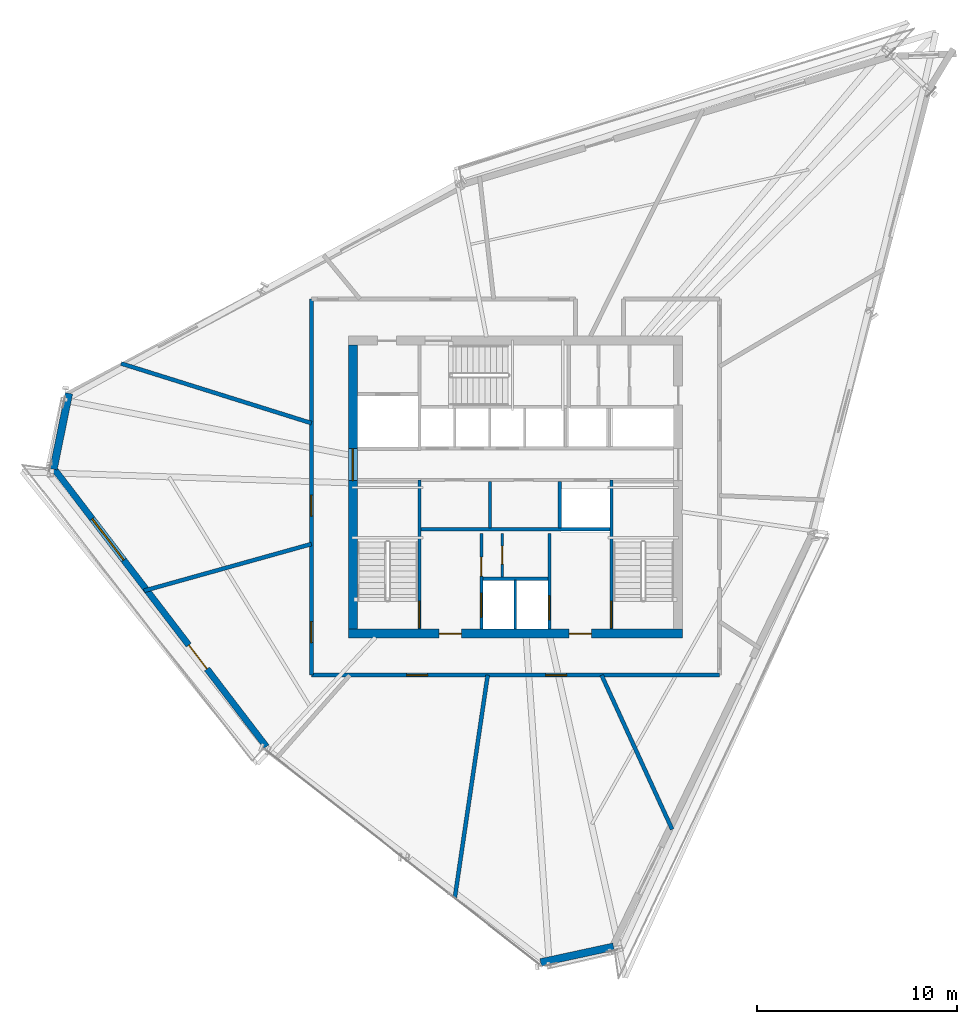
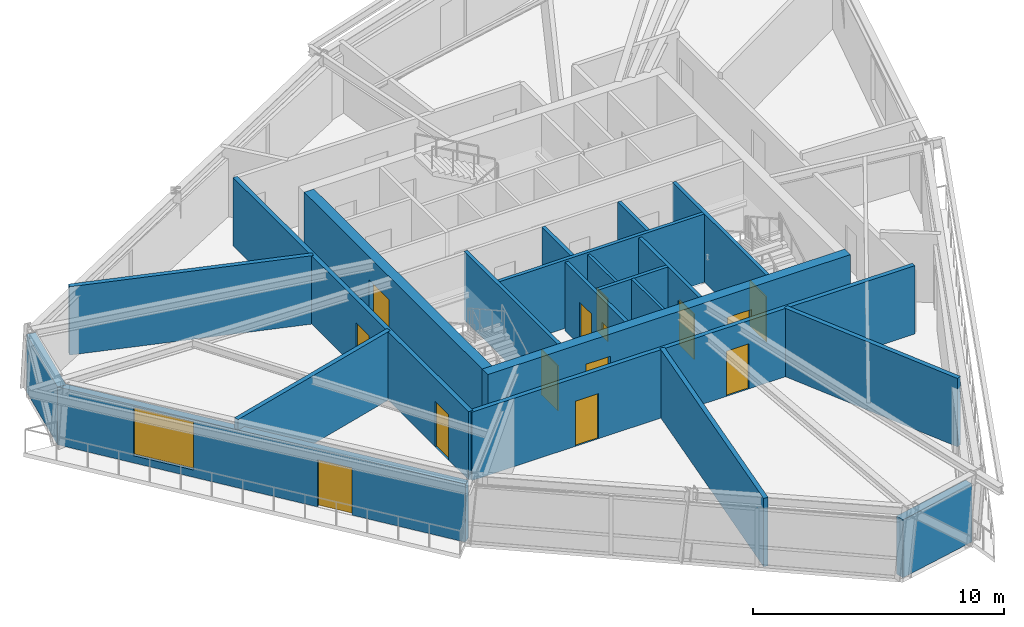
# One storey, part 8 of 14: 21 walls, 14 doors, 1 window, 15 openings.
"""IFC4 building model written with IfcOpenShell, lengths in metres."""

from ifc_helpers import new_model, si_unit, direction, frame, frame_2d, origin, place, context, subcontext, project, spatial, rectangle, extrude, source, transform, mapped, material, layer, layer_set, type_object, type_shapes, element, fill, save


model = new_model("IFC4")

# Units and contexts
model_context = context("Model", 3, precision=1e-05, world=origin(), true_north=direction((0.0, 1.0)))
body_context = subcontext(model_context, "Body", "Model", "MODEL_VIEW")
ifc_project = project(units=[si_unit("LENGTHUNIT", "METRE"), si_unit("AREAUNIT", "SQUARE_METRE"), si_unit("VOLUMEUNIT", "CUBIC_METRE"), si_unit("PLANEANGLEUNIT", "RADIAN"), si_unit("MASSUNIT", "GRAM", prefix="KILO")], contexts=[model_context])

# Site, building, storey
site_placement = place(None, origin())
site = spatial("IfcSite", under=ifc_project, at=site_placement, CompositionType="ELEMENT")
building_placement = place(site_placement, origin())
building = spatial("IfcBuilding", under=site, at=building_placement, Name="Olszyna Solenne Hotel", CompositionType="ELEMENT")
storey_placement = place(building_placement, frame((0.0, 0.0, 223.800048828125)))
storey = spatial("IfcBuildingStorey", under=building, at=storey_placement, Name="L59", CompositionType="ELEMENT", Elevation=223.800048828125)

# Wall, openings, doors
ifc_material_1 = material(Name="Concrete C50/60", Category="concrete")
ifc_layer_1 = layer(ifc_material_1, 0.449951171875, Name="Concrete C50/60")
ifc_layer_set_1 = layer_set([ifc_layer_1], Name="Concrete C50/60")
wall_type_1 = type_object("IfcWallType", Name="WL-CR450", PredefinedType="SHEAR", material=ifc_layer_set_1)
wall_1_placement = place(storey_placement, frame((46.35009765625, 19.27490234375, 0.0), z_axis=(0.0, 0.0, 1.0), x_axis=(-1.0, 0.0, 0.0)))
wall_1 = element("IfcWall", 1, at=wall_1_placement, inside=storey, type_object=wall_type_1, Name="Core shear wall WL-CR450 CRW-L59-S", PredefinedType="SHEAR", context=body_context, shape_type="SweptSolid", body=[
    extrude(rectangle(XDim=16.7001953125, YDim=0.449951171875, at=frame_2d((8.35009765625, 0.0))), origin(), (0.0, 0.0, 1.0), 3.329833984375),
])
opening_1_placement = place(wall_1_placement, frame((4.550048828125, 0.0, 0.0)))
opening_1 = element("IfcOpeningElement", 2, at=opening_1_placement, cuts=wall_1, Name="Opening FL-L59-1", PredefinedType="OPENING", context=body_context, shape_type="SweptSolid", body=[
    extrude(rectangle(XDim=1.1201171875, YDim=2.25, at=frame_2d((0.56005859375, 1.125))), frame((0.0, 0.23486328125, 0.0), z_axis=(0.0, -1.0, 0.0), x_axis=(1.0, 0.0, 0.0)), (0.0, 0.0, 1.0), 0.469970703125),
])
opening_2_placement = place(wall_1_placement, frame((11.050048828125, 0.0, 0.0)))
opening_2 = element("IfcOpeningElement", 3, at=opening_2_placement, cuts=wall_1, Name="Opening FL-L59-2", PredefinedType="OPENING", context=body_context, shape_type="SweptSolid", body=[
    extrude(rectangle(XDim=1.1201171875, YDim=2.25, at=frame_2d((0.56005859375, 1.125))), frame((0.0, 0.23486328125, 0.0), z_axis=(0.0, -1.0, 0.0), x_axis=(1.0, 0.0, 0.0)), (0.0, 0.0, 1.0), 0.469970703125),
])
ifc_material_2 = material(Name="Steel S355J2", Category="steel")
door_type_1 = type_object("IfcDoorType", Name="DR-FL1", OperationType="NOTDEFINED", PredefinedType="DOOR", material=ifc_material_2)
shared_shape_1 = source(origin(), body_context, "Body", "SweptSolid", [
    extrude(rectangle(XDim=1.1201171875, YDim=2.25, at=frame_2d((0.56005859375, 1.125))), frame((0.0, 0.02490234375, 0.0), z_axis=(0.0, -1.0, 0.0), x_axis=(1.0, 0.0, 0.0)), (0.0, 0.0, 1.0), 0.050048828125),
])
type_shapes(door_type_1, [shared_shape_1])
door_1_placement = place(opening_1_placement, origin())
door_1 = element("IfcDoor", 4, at=door_1_placement, inside=storey, type_object=door_type_1, Name="Firefighting lift lobby smoke door FL-L59-1", OperationType="SINGLE_SWING_LEFT", OverallHeight=2.25, OverallWidth=1.1201171875, PredefinedType="DOOR", context=body_context, shape_type="MappedRepresentation", body=[
    mapped(shared_shape_1, transform((0.0, 0.0, 0.0), x_axis=(1.0, 0.0, 0.0), y_axis=(0.0, 1.0, 0.0), z_axis=(0.0, 0.0, 1.0), scale=1.0)),
])
fill(opening_1, door_1)
door_2_placement = place(opening_2_placement, origin())
door_2 = element("IfcDoor", 5, at=door_2_placement, inside=storey, type_object=door_type_1, Name="Firefighting lift lobby smoke door FL-L59-2", OperationType="SINGLE_SWING_RIGHT", OverallHeight=2.25, OverallWidth=1.1201171875, PredefinedType="DOOR", context=body_context, shape_type="MappedRepresentation", body=[
    mapped(shared_shape_1, transform((0.0, 0.0, 0.0), x_axis=(1.0, 0.0, 0.0), y_axis=(0.0, 1.0, 0.0), z_axis=(0.0, 0.0, 1.0), scale=1.0)),
])
fill(opening_2, door_2)

# Wall, opening, door
wall_2_placement = place(storey_placement, frame((29.875, 19.5, 0.0), z_axis=(0.0, 0.0, 1.0), x_axis=(0.0, 1.0, 0.0)))
wall_2 = element("IfcWall", 6, at=wall_2_placement, inside=storey, type_object=wall_type_1, Name="Core shear wall WL-CR450 CRW-L59-W", PredefinedType="SHEAR", context=body_context, shape_type="SweptSolid", body=[
    extrude(rectangle(XDim=14.199951171875, YDim=0.449951171875, at=frame_2d((7.10009765625, 0.0))), origin(), (0.0, 0.0, 1.0), 3.329833984375),
])
opening_3_placement = place(wall_2_placement, frame((7.419921875, 0.0, 0.0)))
opening_3 = element("IfcOpeningElement", 7, at=opening_3_placement, cuts=wall_2, Name="Opening LHD-L59-W", PredefinedType="OPENING", context=body_context, shape_type="SweptSolid", body=[
    extrude(rectangle(XDim=1.60009765625, YDim=2.199951171875, at=frame_2d((0.800048828125, 1.10009765625))), frame((0.0, 0.23486328125, 0.0), z_axis=(0.0, -1.0, 0.0), x_axis=(1.0, 0.0, 0.0)), (0.0, 0.0, 1.0), 0.469970703125),
])
ifc_material_3 = material(Name="Timber hardwood", Category="wood")
door_type_2 = type_object("IfcDoorType", Name="DR-CR1", OperationType="DOUBLE_DOOR_SINGLE_SWING", PredefinedType="DOOR", material=ifc_material_3)
shared_shape_2 = source(origin(), body_context, "Body", "SweptSolid", [
    extrude(rectangle(XDim=1.60009765625, YDim=2.199951171875, at=frame_2d((0.800048828125, 1.10009765625))), frame((0.0, 0.02490234375, 0.0), z_axis=(0.0, -1.0, 0.0), x_axis=(1.0, 0.0, 0.0)), (0.0, 0.0, 1.0), 0.050048828125),
])
type_shapes(door_type_2, [shared_shape_2])
door_3_placement = place(opening_3_placement, origin())
door_3 = element("IfcDoor", 8, at=door_3_placement, inside=storey, type_object=door_type_2, Name="Passenger lift lobby West fire door LHD-L59-W", OperationType="DOUBLE_DOOR_SINGLE_SWING", OverallHeight=2.199951171875, OverallWidth=1.60009765625, PredefinedType="DOOR", context=body_context, shape_type="MappedRepresentation", body=[
    mapped(shared_shape_2, transform((0.0, 0.0, 0.0), x_axis=(1.0, 0.0, 0.0), y_axis=(0.0, 1.0, 0.0), z_axis=(0.0, 0.0, 1.0), scale=1.0)),
])
fill(opening_3, door_3)

# Wall, openings, door, window
ifc_material_4 = material(Name="Precast concrete C45/55", Category="concrete")
ifc_layer_2 = layer(ifc_material_4, 0.320068359375, Name="Precast concrete C45/55")
ifc_layer_set_2 = layer_set([ifc_layer_2], Name="Precast concrete C45/55")
wall_type_2 = type_object("IfcWallType", Name="WL-EX320", PredefinedType="SOLIDWALL", material=ifc_layer_set_2)
wall_3_placement = place(storey_placement, frame((25.551513671875, 13.621826171875, 0.0), z_axis=(0.0, 0.0, 1.0), x_axis=(-0.607219266327, 0.79453430549, 0.0)))
wall_3 = element("IfcWall", 9, at=wall_3_placement, inside=storey, type_object=wall_type_2, Name="Exterior terracotta-precast frame wall WL-EX320 EW-L59-04", PredefinedType="SOLIDWALL", context=body_context, shape_type="SweptSolid", body=[
    extrude(rectangle(XDim=17.628173828125, YDim=0.320068359375, at=frame_2d((8.81396484375, 0.0))), origin(), (0.0, 0.0, 1.0), 2.822021484375),
])
opening_4_placement = place(wall_3_placement, frame((4.89111328125, 0.0, 0.0)))
opening_4 = element("IfcOpeningElement", 10, at=opening_4_placement, cuts=wall_3, Name="Opening LDG-L59-2", PredefinedType="OPENING", context=body_context, shape_type="SweptSolid", body=[
    extrude(rectangle(XDim=1.5, YDim=2.300048828125, at=frame_2d((0.75, 1.14990234375))), frame((0.0, 0.169921875, 0.0), z_axis=(0.0, -1.0, 0.0), x_axis=(1.0, 0.0, 0.0)), (0.0, 0.0, 1.0), 0.340087890625),
])
opening_5_placement = place(wall_3_placement, frame((11.7451171875, 0.0, 0.35205078125)))
opening_5 = element("IfcOpeningElement", 11, at=opening_5_placement, cuts=wall_3, Name="Opening WN-L59-381", PredefinedType="OPENING", context=body_context, shape_type="SweptSolid", body=[
    extrude(rectangle(XDim=2.60009765625, YDim=2.35009765625, at=frame_2d((1.300048828125, 1.175048828125))), frame((0.0, 0.169921875, 0.0), z_axis=(0.0, -1.0, 0.0), x_axis=(1.0, 0.0, 0.0)), (0.0, 0.0, 1.0), 0.340087890625),
])
ifc_material_5 = material(Name="Anodised bronze aluminium", Category="aluminium")
door_type_3 = type_object("IfcDoorType", Name="DR-LG2", OperationType="DOUBLE_DOOR_SINGLE_SWING", PredefinedType="DOOR", material=ifc_material_5)
shared_shape_3 = source(origin(), body_context, "Body", "SweptSolid", [
    extrude(rectangle(XDim=1.5, YDim=2.300048828125, at=frame_2d((0.75, 1.14990234375))), frame((0.0, 0.02490234375, 0.0), z_axis=(0.0, -1.0, 0.0), x_axis=(1.0, 0.0, 0.0)), (0.0, 0.0, 1.0), 0.050048828125),
])
type_shapes(door_type_3, [shared_shape_3])
door_4_placement = place(opening_4_placement, origin())
door_4 = element("IfcDoor", 12, at=door_4_placement, inside=storey, type_object=door_type_3, Name="Exterior loggia balcony door DR-LG2 LDG-L59-2", OperationType="DOUBLE_DOOR_SINGLE_SWING", OverallHeight=2.300048828125, OverallWidth=1.5, PredefinedType="DOOR", context=body_context, shape_type="MappedRepresentation", body=[
    mapped(shared_shape_3, transform((0.0, 0.0, 0.0), x_axis=(1.0, 0.0, 0.0), y_axis=(0.0, 1.0, 0.0), z_axis=(0.0, 0.0, 1.0), scale=1.0)),
])
fill(opening_4, door_4)
ifc_material_6 = material(Name="Low-E triple glazing", Category="glass")
window_type = type_object("IfcWindowType", Name="WN-ST1", PartitioningType="SINGLE_PANEL", PredefinedType="WINDOW", material=ifc_material_6)
shared_shape_4 = source(origin(), body_context, "Body", "SweptSolid", [
    extrude(rectangle(XDim=2.60009765625, YDim=2.35009765625, at=frame_2d((1.300048828125, 1.175048828125))), frame((0.0, 0.030029296875, 0.0), z_axis=(0.0, -1.0, 0.0), x_axis=(1.0, 0.0, 0.0)), (0.0, 0.0, 1.0), 0.06005859375),
])
type_shapes(window_type, [shared_shape_4])
window_placement = place(opening_5_placement, origin())
window = element("IfcWindow", 13, at=window_placement, inside=storey, type_object=window_type, Name="Loggia room window WN-ST1 WN-L59-381", OverallHeight=2.35009765625, OverallWidth=2.60009765625, PartitioningType="SINGLE_PANEL", PredefinedType="WINDOW", context=body_context, shape_type="MappedRepresentation", body=[
    mapped(shared_shape_4, transform((0.0, 0.0, 0.0), x_axis=(1.0, 0.0, 0.0), y_axis=(0.0, 1.0, 0.0), z_axis=(0.0, 0.0, 1.0), scale=1.0)),
])
fill(opening_5, window)

# Walls
ifc_material_7 = material(Name="Terracotta cladding on precast concrete C45/55", Category="masonry")
ifc_layer_3 = layer(ifc_material_7, 0.3798828125, Name="Terracotta cladding on precast concrete C45/55")
ifc_layer_set_3 = layer_set([ifc_layer_3], Name="Terracotta cladding on precast concrete C45/55")
wall_type_3 = type_object("IfcWallType", Name="WL-EX380", PredefinedType="SOLIDWALL", material=ifc_layer_set_3)
wall_4_placement = place(storey_placement, frame((42.9033203125, 3.62451171875, 0.0), z_axis=(0.0, 0.0, 1.0), x_axis=(-0.977406853857, -0.211366605765, 0.0)))
element("IfcWall", 14, at=wall_4_placement, inside=storey, type_object=wall_type_3, Name="Exterior terracotta-precast frame wall WL-EX380 EW-L59-02", PredefinedType="SOLIDWALL", context=body_context, shape_type="SweptSolid", body=[
    extrude(rectangle(XDim=3.728515625, YDim=0.3798828125, at=frame_2d((1.8642578125, 0.0))), origin(), (0.0, 0.0, 1.0), 2.822021484375),
])
wall_5_placement = place(storey_placement, frame((14.906494140625, 27.492919921875, 0.0), z_axis=(0.0, 0.0, 1.0), x_axis=(0.199317364457, 0.979934991837, 0.0)))
element("IfcWall", 15, at=wall_5_placement, inside=storey, type_object=wall_type_3, Name="Exterior terracotta-precast frame wall WL-EX380 EW-L59-05", PredefinedType="SOLIDWALL", context=body_context, shape_type="SweptSolid", body=[
    extrude(rectangle(XDim=3.87060546875, YDim=0.3798828125, at=frame_2d((1.935302734375, 0.0))), origin(), (0.0, 0.0, 1.0), 2.822021484375),
])
ifc_material_8 = material(Name="Acoustic gypsum partition", Category="gypsum")
ifc_layer_4 = layer(ifc_material_8, 0.125, Name="Acoustic gypsum partition")
ifc_layer_set_4 = layer_set([ifc_layer_4], Name="Acoustic gypsum partition")
wall_type_4 = type_object("IfcWallType", Name="WL-PT125", PredefinedType="PARTITIONING", material=ifc_layer_set_4)
wall_6_placement = place(storey_placement, frame((38.0, 19.5, 0.0), z_axis=(0.0, 0.0, 1.0), x_axis=(0.0, 1.0, 0.0)))
element("IfcWall", 16, at=wall_6_placement, inside=storey, type_object=wall_type_4, Name="Core shaft compartment wall CW-L59-FFM", PredefinedType="PARTITIONING", context=body_context, shape_type="SweptSolid", body=[
    extrude(rectangle(XDim=2.4599609375, YDim=0.125, at=frame_2d((1.22998046875, 0.0))), origin(), (0.0, 0.0, 1.0), 3.329833984375),
])

# Wall, opening, door
wall_7_placement = place(storey_placement, frame((37.330078125, 22.10009765625, 0.0), z_axis=(0.0, 0.0, 1.0), x_axis=(0.0, 1.0, 0.0)))
wall_7 = element("IfcWall", 17, at=wall_7_placement, inside=storey, type_object=wall_type_4, Name="Core shaft compartment wall CW-L59-SC3", PredefinedType="PARTITIONING", context=body_context, shape_type="SweptSolid", body=[
    extrude(rectangle(XDim=2.179931640625, YDim=0.125, at=frame_2d((1.08984375, 0.0))), origin(), (0.0, 0.0, 1.0), 3.329833984375),
])
opening_6_placement = place(wall_7_placement, frame((0.64990234375, 0.0, 0.0)))
opening_6 = element("IfcOpeningElement", 18, at=opening_6_placement, cuts=wall_7, Name="Opening SVD-L59-SC3", PredefinedType="OPENING", context=body_context, shape_type="SweptSolid", body=[
    extrude(rectangle(XDim=0.89990234375, YDim=2.10009765625, at=frame_2d((0.449951171875, 1.050048828125))), frame((0.0, 0.072509765625, 0.0), z_axis=(0.0, -1.0, 0.0), x_axis=(1.0, 0.0, 0.0)), (0.0, 0.0, 1.0), 0.14501953125),
])
door_type_4 = type_object("IfcDoorType", Name="DR-WC1", OperationType="NOTDEFINED", PredefinedType="DOOR", material=ifc_material_3)
shared_shape_5 = source(origin(), body_context, "Body", "SweptSolid", [
    extrude(rectangle(XDim=0.89990234375, YDim=2.10009765625, at=frame_2d((0.449951171875, 1.050048828125))), frame((0.0, 0.02490234375, 0.0), z_axis=(0.0, -1.0, 0.0), x_axis=(1.0, 0.0, 0.0)), (0.0, 0.0, 1.0), 0.050048828125),
])
type_shapes(door_type_4, [shared_shape_5])
door_5_placement = place(opening_6_placement, origin())
door_5 = element("IfcDoor", 19, at=door_5_placement, inside=storey, type_object=door_type_4, Name="Trolley bay door SVD-L59-SC3", OperationType="SINGLE_SWING_LEFT", OverallHeight=2.10009765625, OverallWidth=0.89990234375, PredefinedType="DOOR", context=body_context, shape_type="MappedRepresentation", body=[
    mapped(shared_shape_5, transform((0.0, 0.0, 0.0), x_axis=(1.0, 0.0, 0.0), y_axis=(0.0, 1.0, 0.0), z_axis=(0.0, 0.0, 1.0), scale=1.0)),
])
fill(opening_6, door_5)

ifc_layer_5 = layer(ifc_material_8, 0.159912109375, Name="Acoustic gypsum partition")
ifc_layer_set_5 = layer_set([ifc_layer_5], Name="Acoustic gypsum partition")
wall_type_5 = type_object("IfcWallType", Name="WL-PT160", PredefinedType="PARTITIONING", material=ifc_layer_set_5)
wall_8_placement = place(storey_placement, frame((33.199951171875, 19.5, 0.0), z_axis=(0.0, 0.0, 1.0), x_axis=(0.0, 1.0, 0.0)))
wall_8 = element("IfcWall", 20, at=wall_8_placement, inside=storey, type_object=wall_type_5, Name="Core shaft compartment wall CW-L59-ST1E", PredefinedType="PARTITIONING", context=body_context, shape_type="SweptSolid", body=[
    extrude(rectangle(XDim=7.4599609375, YDim=0.159912109375, at=frame_2d((3.72998046875, 0.0))), origin(), (0.0, 0.0, 1.0), 3.329833984375),
])
opening_7_placement = place(wall_8_placement, frame((0.080078125, 0.0, 0.0)))
opening_7 = element("IfcOpeningElement", 21, at=opening_7_placement, cuts=wall_8, Name="Opening STD-L59-01", PredefinedType="OPENING", context=body_context, shape_type="SweptSolid", body=[
    extrude(rectangle(XDim=1.320068359375, YDim=2.199951171875, at=frame_2d((0.66015625, 1.10009765625))), frame((0.0, 0.08984375, 0.0), z_axis=(0.0, -1.0, 0.0), x_axis=(1.0, 0.0, 0.0)), (0.0, 0.0, 1.0), 0.179931640625),
])
door_type_5 = type_object("IfcDoorType", Name="DR-ST1", OperationType="NOTDEFINED", PredefinedType="DOOR", material=ifc_material_2)
shared_shape_6 = source(origin(), body_context, "Body", "SweptSolid", [
    extrude(rectangle(XDim=1.320068359375, YDim=2.199951171875, at=frame_2d((0.66015625, 1.10009765625))), frame((0.0, 0.02490234375, 0.0), z_axis=(0.0, -1.0, 0.0), x_axis=(1.0, 0.0, 0.0)), (0.0, 0.0, 1.0), 0.050048828125),
])
type_shapes(door_type_5, [shared_shape_6])
door_6_placement = place(opening_7_placement, origin())
door_6 = element("IfcDoor", 22, at=door_6_placement, inside=storey, type_object=door_type_5, Name="Pressurised exit stair ST1 fire door STD-L59-01", OperationType="SINGLE_SWING_LEFT", OverallHeight=2.199951171875, OverallWidth=1.320068359375, PredefinedType="DOOR", context=body_context, shape_type="MappedRepresentation", body=[
    mapped(shared_shape_6, transform((0.0, 0.0, 0.0), x_axis=(1.0, 0.0, 0.0), y_axis=(0.0, 1.0, 0.0), z_axis=(0.0, 0.0, 1.0), scale=1.0)),
])
fill(opening_7, door_6)

wall_9_placement = place(storey_placement, frame((42.800048828125, 26.9599609375, 0.0), z_axis=(0.0, 0.0, 1.0), x_axis=(0.0, -1.0, 0.0)))
wall_9 = element("IfcWall", 23, at=wall_9_placement, inside=storey, type_object=wall_type_5, Name="Core shaft compartment wall CW-L59-ST2W", PredefinedType="PARTITIONING", context=body_context, shape_type="SweptSolid", body=[
    extrude(rectangle(XDim=7.4599609375, YDim=0.159912109375, at=frame_2d((3.72998046875, 0.0))), origin(), (0.0, 0.0, 1.0), 3.329833984375),
])
opening_8_placement = place(wall_9_placement, frame((6.06005859375, 0.0, 0.0)))
opening_8 = element("IfcOpeningElement", 24, at=opening_8_placement, cuts=wall_9, Name="Opening STD-L59-02", PredefinedType="OPENING", context=body_context, shape_type="SweptSolid", body=[
    extrude(rectangle(XDim=1.320068359375, YDim=2.199951171875, at=frame_2d((0.66015625, 1.10009765625))), frame((0.0, 0.08984375, 0.0), z_axis=(0.0, -1.0, 0.0), x_axis=(1.0, 0.0, 0.0)), (0.0, 0.0, 1.0), 0.179931640625),
])
door_7_placement = place(opening_8_placement, origin())
door_7 = element("IfcDoor", 25, at=door_7_placement, inside=storey, type_object=door_type_5, Name="Pressurised exit stair ST2 fire door STD-L59-02", OperationType="SINGLE_SWING_RIGHT", OverallHeight=2.199951171875, OverallWidth=1.320068359375, PredefinedType="DOOR", context=body_context, shape_type="MappedRepresentation", body=[
    mapped(shared_shape_6, transform((0.0, 0.0, 0.0), x_axis=(1.0, 0.0, 0.0), y_axis=(0.0, 1.0, 0.0), z_axis=(0.0, 0.0, 1.0), scale=1.0)),
])
fill(opening_8, door_7)

# Wall, openings, doors
wall_10_placement = place(storey_placement, frame((36.300048828125, 19.5, 0.0), z_axis=(0.0, 0.0, 1.0), x_axis=(0.0, 1.0, 0.0)))
wall_10 = element("IfcWall", 26, at=wall_10_placement, inside=storey, type_object=wall_type_5, Name="Core shaft compartment wall CW-L59-FF1W", PredefinedType="PARTITIONING", context=body_context, shape_type="SweptSolid", body=[
    extrude(rectangle(XDim=4.780029296875, YDim=0.159912109375, at=frame_2d((2.39013671875, 0.0))), origin(), (0.0, 0.0, 1.0), 3.329833984375),
])
opening_9_placement = place(wall_10_placement, frame((0.60009765625, 0.0, 0.0)))
opening_9 = element("IfcOpeningElement", 27, at=opening_9_placement, cuts=wall_10, Name="Opening LD-L59-FF1", PredefinedType="OPENING", context=body_context, shape_type="SweptSolid", body=[
    extrude(rectangle(XDim=1.199951171875, YDim=2.199951171875, at=frame_2d((0.60009765625, 1.10009765625))), frame((0.0, 0.08984375, 0.0), z_axis=(0.0, -1.0, 0.0), x_axis=(1.0, 0.0, 0.0)), (0.0, 0.0, 1.0), 0.179931640625),
])
opening_10_placement = place(wall_10_placement, frame((2.64990234375, 0.0, 0.0)))
opening_10 = element("IfcOpeningElement", 28, at=opening_10_placement, cuts=wall_10, Name="Opening SVD-L59-SMK", PredefinedType="OPENING", context=body_context, shape_type="SweptSolid", body=[
    extrude(rectangle(XDim=0.949951171875, YDim=2.10009765625, at=frame_2d((0.47509765625, 1.050048828125))), frame((0.0, 0.08984375, 0.0), z_axis=(0.0, -1.0, 0.0), x_axis=(1.0, 0.0, 0.0)), (0.0, 0.0, 1.0), 0.179931640625),
])
door_type_6 = type_object("IfcDoorType", Name="DR-SV1", OperationType="NOTDEFINED", PredefinedType="DOOR", material=ifc_material_2)
shared_shape_7 = source(origin(), body_context, "Body", "SweptSolid", [
    extrude(rectangle(XDim=0.949951171875, YDim=2.10009765625, at=frame_2d((0.47509765625, 1.050048828125))), frame((0.0, 0.02490234375, 0.0), z_axis=(0.0, -1.0, 0.0), x_axis=(1.0, 0.0, 0.0)), (0.0, 0.0, 1.0), 0.050048828125),
])
type_shapes(door_type_6, [shared_shape_7])
door_8_placement = place(opening_10_placement, origin())
door_8 = element("IfcDoor", 29, at=door_8_placement, inside=storey, type_object=door_type_6, Name="Valet and core service room door SVD-L59-SMK", OperationType="SINGLE_SWING_LEFT", OverallHeight=2.10009765625, OverallWidth=0.949951171875, PredefinedType="DOOR", context=body_context, shape_type="MappedRepresentation", body=[
    mapped(shared_shape_7, transform((0.0, 0.0, 0.0), x_axis=(1.0, 0.0, 0.0), y_axis=(0.0, 1.0, 0.0), z_axis=(0.0, 0.0, 1.0), scale=1.0)),
])
fill(opening_10, door_8)
door_type_7 = type_object("IfcDoorType", Name="LD-FF1", OperationType="DOUBLE_DOOR_SLIDING", PredefinedType="DOOR", material=ifc_material_2)
shared_shape_8 = source(origin(), body_context, "Body", "SweptSolid", [
    extrude(rectangle(XDim=1.199951171875, YDim=2.199951171875, at=frame_2d((0.60009765625, 1.10009765625))), frame((0.0, 0.02490234375, 0.0), z_axis=(0.0, -1.0, 0.0), x_axis=(1.0, 0.0, 0.0)), (0.0, 0.0, 1.0), 0.050048828125),
])
type_shapes(door_type_7, [shared_shape_8])
door_9_placement = place(opening_9_placement, origin())
door_9 = element("IfcDoor", 30, at=door_9_placement, inside=storey, type_object=door_type_7, Name="Firefighters lift FF1 sliding landing door LD-L59-FF1", OperationType="DOUBLE_DOOR_SLIDING", OverallHeight=2.199951171875, OverallWidth=1.199951171875, PredefinedType="DOOR", context=body_context, shape_type="MappedRepresentation", body=[
    mapped(shared_shape_8, transform((0.0, 0.0, 0.0), x_axis=(1.0, 0.0, 0.0), y_axis=(0.0, 1.0, 0.0), z_axis=(0.0, 0.0, 1.0), scale=1.0)),
])
fill(opening_9, door_9)

# Wall, opening, door
wall_11_placement = place(storey_placement, frame((39.699951171875, 24.280029296875, 0.0), z_axis=(0.0, 0.0, 1.0), x_axis=(0.0, -1.0, 0.0)))
wall_11 = element("IfcWall", 31, at=wall_11_placement, inside=storey, type_object=wall_type_5, Name="Core shaft compartment wall CW-L59-FF2E", PredefinedType="PARTITIONING", context=body_context, shape_type="SweptSolid", body=[
    extrude(rectangle(XDim=4.780029296875, YDim=0.159912109375, at=frame_2d((2.39013671875, 0.0))), origin(), (0.0, 0.0, 1.0), 3.329833984375),
])
opening_11_placement = place(wall_11_placement, frame((3.1201171875, 0.0, 0.0)))
opening_11 = element("IfcOpeningElement", 32, at=opening_11_placement, cuts=wall_11, Name="Opening LD-L59-FF2", PredefinedType="OPENING", context=body_context, shape_type="SweptSolid", body=[
    extrude(rectangle(XDim=1.199951171875, YDim=2.199951171875, at=frame_2d((0.60009765625, 1.10009765625))), frame((0.0, 0.08984375, 0.0), z_axis=(0.0, -1.0, 0.0), x_axis=(1.0, 0.0, 0.0)), (0.0, 0.0, 1.0), 0.179931640625),
])
door_10_placement = place(opening_11_placement, origin())
door_10 = element("IfcDoor", 33, at=door_10_placement, inside=storey, type_object=door_type_7, Name="Firefighters lift FF2 sliding landing door LD-L59-FF2", OperationType="DOUBLE_DOOR_SLIDING", OverallHeight=2.199951171875, OverallWidth=1.199951171875, PredefinedType="DOOR", context=body_context, shape_type="MappedRepresentation", body=[
    mapped(shared_shape_8, transform((0.0, 0.0, 0.0), x_axis=(1.0, 0.0, 0.0), y_axis=(0.0, 1.0, 0.0), z_axis=(0.0, 0.0, 1.0), scale=1.0)),
])
fill(opening_11, door_10)

# Walls
wall_12_placement = place(storey_placement, frame((36.3798828125, 22.02001953125, 0.0), z_axis=(0.0, 0.0, 1.0), x_axis=(1.0, 0.0, 0.0)))
element("IfcWall", 34, at=wall_12_placement, inside=storey, type_object=wall_type_5, Name="Core shaft compartment wall CW-L59-FFN", PredefinedType="PARTITIONING", context=body_context, shape_type="SweptSolid", body=[
    extrude(rectangle(XDim=3.240234375, YDim=0.159912109375, at=frame_2d((1.6201171875, 0.0))), origin(), (0.0, 0.0, 1.0), 3.329833984375),
])
wall_13_placement = place(storey_placement, frame((33.280029296875, 24.489990234375, 0.0), z_axis=(0.0, 0.0, 1.0), x_axis=(1.0, 0.0, 0.0)))
element("IfcWall", 35, at=wall_13_placement, inside=storey, type_object=wall_type_5, Name="Core shaft compartment wall CW-L59-FFBN", PredefinedType="PARTITIONING", context=body_context, shape_type="SweptSolid", body=[
    extrude(rectangle(XDim=9.43994140625, YDim=0.159912109375, at=frame_2d((4.719970703125, 0.0))), origin(), (0.0, 0.0, 1.0), 3.329833984375),
])
for number, where, z_axis, x_axis, name in (
    (36, (36.72998046875, 24.56005859375, 0.0), (0.0, 0.0, 1.0), (0.0, 1.0, 0.0), "Core shaft compartment wall CW-L59-LV7DIV1"),
    (37, (40.215087890625, 24.56005859375, 0.0), (0.0, 0.0, 1.0), (0.0, 1.0, 0.0), "Core shaft compartment wall CW-L59-LV7DIV2"),
):
    element("IfcWall", number, at=place(storey_placement, frame(where, z_axis=z_axis, x_axis=x_axis)), inside=storey, type_object=wall_type_5, Name=name, PredefinedType="PARTITIONING", context=body_context, shape_type="SweptSolid", body=[
        extrude(rectangle(XDim=2.31005859375, YDim=0.159912109375, at=frame_2d((1.155029296875, 0.0))), origin(), (0.0, 0.0, 1.0), 3.329833984375),
    ])
ifc_layer_6 = layer(ifc_material_8, 0.199951171875, Name="Acoustic gypsum partition")
ifc_layer_set_6 = layer_set([ifc_layer_6], Name="Acoustic gypsum partition")
wall_type_6 = type_object("IfcWallType", Name="WL-PT200", PredefinedType="PARTITIONING", material=ifc_layer_set_6)
wall_14_placement = place(storey_placement, frame((27.800048828125, 29.79638671875, 0.0), z_axis=(0.0, 0.0, 1.0), x_axis=(-0.954238311107, 0.299047229739, 0.0)))
element("IfcWall", 38, at=wall_14_placement, inside=storey, type_object=wall_type_6, Name="Interior acoustic partition WL-PT200 PW-L59-3284", PredefinedType="PARTITIONING", context=body_context, shape_type="SweptSolid", body=[
    extrude(rectangle(XDim=9.971435546875, YDim=0.199951171875, at=frame_2d((4.98583984375, 0.0))), origin(), (0.0, 0.0, 1.0), 3.329833984375),
])
wall_15_placement = place(storey_placement, frame((27.800048828125, 23.752197265625, 0.0), z_axis=(0.0, 0.0, 1.0), x_axis=(-0.963159579638, -0.268930519188, 0.0)))
element("IfcWall", 39, at=wall_15_placement, inside=storey, type_object=wall_type_6, Name="Interior acoustic partition WL-PT200 PW-L59-3285", PredefinedType="PARTITIONING", context=body_context, shape_type="SweptSolid", body=[
    extrude(rectangle(XDim=8.688720703125, YDim=0.199951171875, at=frame_2d((4.34423828125, 0.0))), origin(), (0.0, 0.0, 1.0), 3.329833984375),
])
wall_16_placement = place(storey_placement, frame((36.61181640625, 17.199951171875, 0.0), z_axis=(0.0, 0.0, 1.0), x_axis=(-0.146066825949, -0.989274725421, 0.0)))
element("IfcWall", 40, at=wall_16_placement, inside=storey, type_object=wall_type_6, Name="Interior acoustic partition WL-PT200 PW-L59-3287", PredefinedType="PARTITIONING", context=body_context, shape_type="SweptSolid", body=[
    extrude(rectangle(XDim=11.23876953125, YDim=0.199951171875, at=frame_2d((5.619384765625, 0.0))), origin(), (0.0, 0.0, 1.0), 3.329833984375),
])
wall_17_placement = place(storey_placement, frame((42.3037109375, 17.199951171875, 0.0), z_axis=(0.0, 0.0, 1.0), x_axis=(0.416275176363, -0.909238680185, 0.0)))
element("IfcWall", 41, at=wall_17_placement, inside=storey, type_object=wall_type_6, Name="Interior acoustic partition WL-PT200 PW-L59-3288", PredefinedType="PARTITIONING", context=body_context, shape_type="SweptSolid", body=[
    extrude(rectangle(XDim=8.484130859375, YDim=0.199951171875, at=frame_2d((4.2421875, 0.0))), origin(), (0.0, 0.0, 1.0), 3.329833984375),
])

# Wall, openings, doors
wall_18_placement = place(storey_placement, frame((27.800048828125, 17.199951171875, 0.0), z_axis=(0.0, 0.0, 1.0), x_axis=(1.0, 0.0, 0.0)))
wall_18 = element("IfcWall", 42, at=wall_18_placement, inside=storey, type_object=wall_type_6, Name="Interior acoustic partition WL-PT200 PW-L59-3290", PredefinedType="PARTITIONING", context=body_context, shape_type="SweptSolid", body=[
    extrude(rectangle(XDim=20.39990234375, YDim=0.199951171875, at=frame_2d((10.199951171875, 0.0))), origin(), (0.0, 0.0, 1.0), 3.329833984375),
])
opening_12_placement = place(wall_18_placement, frame((4.761962890625, 0.0, 0.0)))
opening_12 = element("IfcOpeningElement", 43, at=opening_12_placement, cuts=wall_18, Name="Opening DR-L59-0795", PredefinedType="OPENING", context=body_context, shape_type="SweptSolid", body=[
    extrude(rectangle(XDim=1.050048828125, YDim=2.199951171875, at=frame_2d((0.52490234375, 1.10009765625))), frame((0.0, 0.10986328125, 0.0), z_axis=(0.0, -1.0, 0.0), x_axis=(1.0, 0.0, 0.0)), (0.0, 0.0, 1.0), 0.219970703125),
])
opening_13_placement = place(wall_18_placement, frame((11.7099609375, 0.0, 0.0)))
opening_13 = element("IfcOpeningElement", 44, at=opening_13_placement, cuts=wall_18, Name="Opening DR-L59-0796", PredefinedType="OPENING", context=body_context, shape_type="SweptSolid", body=[
    extrude(rectangle(XDim=1.050048828125, YDim=2.199951171875, at=frame_2d((0.52490234375, 1.10009765625))), frame((0.0, 0.10986328125, 0.0), z_axis=(0.0, -1.0, 0.0), x_axis=(1.0, 0.0, 0.0)), (0.0, 0.0, 1.0), 0.219970703125),
])
door_type_8 = type_object("IfcDoorType", Name="DR-RM2", OperationType="NOTDEFINED", PredefinedType="DOOR", material=ifc_material_3)
shared_shape_9 = source(origin(), body_context, "Body", "SweptSolid", [
    extrude(rectangle(XDim=1.050048828125, YDim=2.199951171875, at=frame_2d((0.52490234375, 1.10009765625))), frame((0.0, 0.02490234375, 0.0), z_axis=(0.0, -1.0, 0.0), x_axis=(1.0, 0.0, 0.0)), (0.0, 0.0, 1.0), 0.050048828125),
])
type_shapes(door_type_8, [shared_shape_9])
door_11_placement = place(opening_12_placement, origin())
door_11 = element("IfcDoor", 45, at=door_11_placement, inside=storey, type_object=door_type_8, Name="Private Business Office Entrance Door DR-L59-0795", OperationType="SINGLE_SWING_LEFT", OverallHeight=2.199951171875, OverallWidth=1.050048828125, PredefinedType="DOOR", context=body_context, shape_type="MappedRepresentation", body=[
    mapped(shared_shape_9, transform((0.0, 0.0, 0.0), x_axis=(1.0, 0.0, 0.0), y_axis=(0.0, 1.0, 0.0), z_axis=(0.0, 0.0, 1.0), scale=1.0)),
])
fill(opening_12, door_11)
door_12_placement = place(opening_13_placement, origin())
door_12 = element("IfcDoor", 46, at=door_12_placement, inside=storey, type_object=door_type_8, Name="Private Business Office Entrance Door DR-L59-0796", OperationType="SINGLE_SWING_RIGHT", OverallHeight=2.199951171875, OverallWidth=1.050048828125, PredefinedType="DOOR", context=body_context, shape_type="MappedRepresentation", body=[
    mapped(shared_shape_9, transform((0.0, 0.0, 0.0), x_axis=(1.0, 0.0, 0.0), y_axis=(0.0, 1.0, 0.0), z_axis=(0.0, 0.0, 1.0), scale=1.0)),
])
fill(opening_13, door_12)

wall_19_placement = place(storey_placement, frame((27.800048828125, 17.199951171875, 0.0), z_axis=(0.0, 0.0, 1.0), x_axis=(0.0, 1.0, 0.0)))
wall_19 = element("IfcWall", 47, at=wall_19_placement, inside=storey, type_object=wall_type_6, Name="Interior acoustic partition WL-PT200 PW-L59-3291", PredefinedType="PARTITIONING", context=body_context, shape_type="SweptSolid", body=[
    extrude(rectangle(XDim=18.800048828125, YDim=0.199951171875, at=frame_2d((9.39990234375, 0.0))), origin(), (0.0, 0.0, 1.0), 3.329833984375),
])
opening_14_placement = place(wall_19_placement, frame((7.944091796875, 0.0, 0.0)))
opening_14 = element("IfcOpeningElement", 48, at=opening_14_placement, cuts=wall_19, Name="Opening DR-L59-0797", PredefinedType="OPENING", context=body_context, shape_type="SweptSolid", body=[
    extrude(rectangle(XDim=1.050048828125, YDim=2.199951171875, at=frame_2d((0.52490234375, 1.10009765625))), frame((0.0, 0.10986328125, 0.0), z_axis=(0.0, -1.0, 0.0), x_axis=(1.0, 0.0, 0.0)), (0.0, 0.0, 1.0), 0.219970703125),
])
opening_15_placement = place(wall_19_placement, frame((1.6279296875, 0.0, 0.0)))
opening_15 = element("IfcOpeningElement", 49, at=opening_15_placement, cuts=wall_19, Name="Opening DR-L59-0798", PredefinedType="OPENING", context=body_context, shape_type="SweptSolid", body=[
    extrude(rectangle(XDim=1.050048828125, YDim=2.199951171875, at=frame_2d((0.52490234375, 1.10009765625))), frame((0.0, 0.10986328125, 0.0), z_axis=(0.0, -1.0, 0.0), x_axis=(1.0, 0.0, 0.0)), (0.0, 0.0, 1.0), 0.219970703125),
])
door_13_placement = place(opening_14_placement, origin())
door_13 = element("IfcDoor", 50, at=door_13_placement, inside=storey, type_object=door_type_8, Name="Private Business Office Entrance Door DR-L59-0797", OperationType="SINGLE_SWING_LEFT", OverallHeight=2.199951171875, OverallWidth=1.050048828125, PredefinedType="DOOR", context=body_context, shape_type="MappedRepresentation", body=[
    mapped(shared_shape_9, transform((0.0, 0.0, 0.0), x_axis=(1.0, 0.0, 0.0), y_axis=(0.0, 1.0, 0.0), z_axis=(0.0, 0.0, 1.0), scale=1.0)),
])
fill(opening_14, door_13)
door_14_placement = place(opening_15_placement, origin())
door_14 = element("IfcDoor", 51, at=door_14_placement, inside=storey, type_object=door_type_8, Name="Private Business Office Entrance Door DR-L59-0798", OperationType="SINGLE_SWING_RIGHT", OverallHeight=2.199951171875, OverallWidth=1.050048828125, PredefinedType="DOOR", context=body_context, shape_type="MappedRepresentation", body=[
    mapped(shared_shape_9, transform((0.0, 0.0, 0.0), x_axis=(1.0, 0.0, 0.0), y_axis=(0.0, 1.0, 0.0), z_axis=(0.0, 0.0, 1.0), scale=1.0)),
])
fill(opening_15, door_14)

save(model, "model.ifc")
